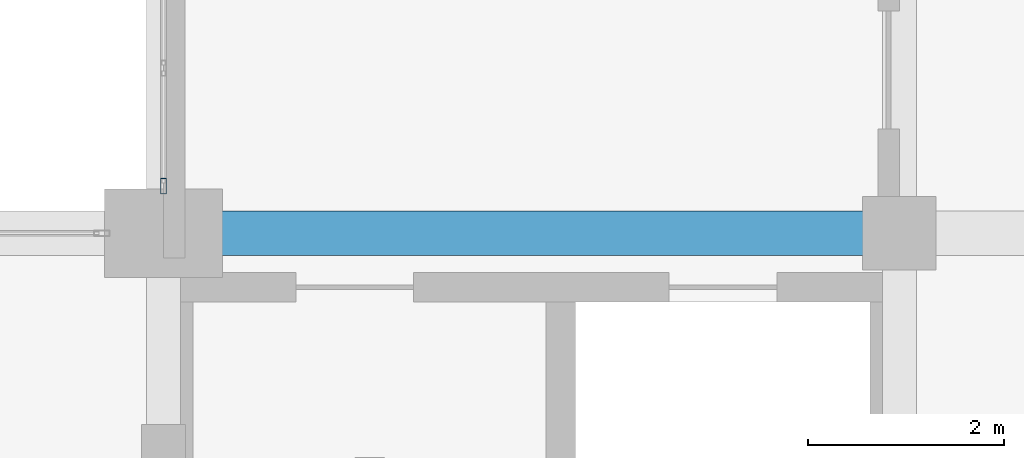
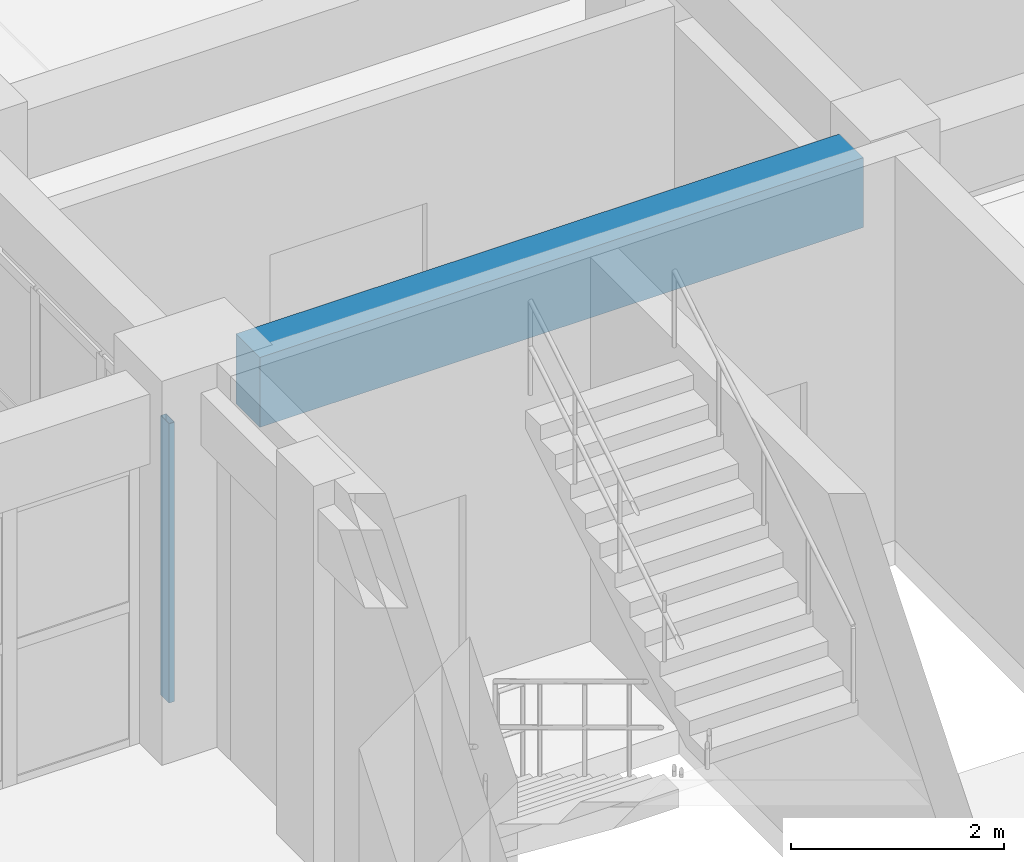
# One storey, part 14 of 116: 1 beam, 1 member, 1 element without a shape of its own.
"""IFC4 building model written with IfcOpenShell, lengths in metres."""

from ifc_helpers import new_model, si_unit, direction, frame, origin, origin_2d, place, context, subcontext, project, spatial, rectangle, hollow_rectangle, extrude, material, layer, layer_set, material_profile, profile_set, type_object, element, aggregate, save


model = new_model("IFC4")

# Units and contexts
model_context = context("Model", 3, precision=1e-05, world=origin(), true_north=direction((0.0, 1.0)))
body_context = subcontext(model_context, "Body", "Model", "MODEL_VIEW")
ifc_project = project(units=[si_unit("LENGTHUNIT", "METRE"), si_unit("AREAUNIT", "SQUARE_METRE"), si_unit("VOLUMEUNIT", "CUBIC_METRE"), si_unit("PLANEANGLEUNIT", "RADIAN"), si_unit("MASSUNIT", "GRAM", prefix="KILO")], contexts=[model_context])

# Site, building, storey
site_placement = place(None, origin())
site = spatial("IfcSite", under=ifc_project, at=site_placement, CompositionType="ELEMENT")
building_placement = place(site_placement, origin())
building = spatial("IfcBuilding", under=site, at=building_placement, Name="Muzn Square Opera House", CompositionType="ELEMENT")
storey_placement = place(building_placement, frame((0.0, 0.0, 5.39990234375)))
storey = spatial("IfcBuildingStorey", under=building, at=storey_placement, Name="L01", CompositionType="ELEMENT", Elevation=5.39990234375)

# Curtain wall, member
ifc_material_1 = material(Name="Low-E laminated acoustic double glazing", Category="glass")
ifc_layer = layer(ifc_material_1, 0.159912109375, Name="Low-E laminated acoustic double glazing", Category="glass")
ifc_layer_set = layer_set([ifc_layer], Name="Low-E laminated acoustic double glazing")
curtain_wall_type = type_object("IfcCurtainWallType", Name="Glazed Curtain Wall WestVaultCourt 3700x3200", PredefinedType="USERDEFINED", material=ifc_layer_set)
curtain_wall_placement = place(storey_placement, origin())
curtain_wall = element("IfcCurtainWall", 1, at=curtain_wall_placement, inside=storey, type_object=curtain_wall_type, Name="Glazed Curtain Wall CW-L01-039", ObjectType="GLAZED CURTAIN WALL", PredefinedType="USERDEFINED")
ifc_material_2 = material(Name="Anodised bronze aluminium 6063-T6", Category="metal")
ifc_material_profile_1 = material_profile(ifc_material_2, hollow_rectangle(XDim=0.06005859375, YDim=0.159912109375, WallThickness=0.00390625, at=origin_2d()), Name="ALU 160x60x4", Category="metal")
ifc_profile_set_1 = profile_set([ifc_material_profile_1], Name="Anodised bronze aluminium 6063-T6")
member_type = type_object("IfcMemberType", Name="Curtain Wall Mullion 160x60", PredefinedType="MULLION", material=ifc_profile_set_1)
member_placement = place(storey_placement, frame((43.0, 31.679931640625, 0.0), z_axis=(0.0, 0.0, 1.0), x_axis=(-1.0, 0.0, 0.0)))
member = element("IfcMember", 2, at=member_placement, type_object=member_type, Name="CW-WVC-37x32 mullion 1", PredefinedType="MULLION", context=body_context, shape_type="SweptSolid", body=[
    extrude(hollow_rectangle(XDim=0.06005859375, YDim=0.159912109375, WallThickness=0.00390625, at=origin_2d()), origin(), (0.0, 0.0, 1.0), 3.2001953125),
])
aggregate(curtain_wall, [member])

# Beam
ifc_material_3 = material(Name="Concrete C40/50", Category="concrete")
ifc_material_profile_2 = material_profile(ifc_material_3, rectangle(XDim=0.449951171875, YDim=0.800048828125, at=origin_2d()), Name="RCB 450x800", Category="concrete")
ifc_profile_set_2 = profile_set([ifc_material_profile_2], Name="Concrete C40/50")
beam_type = type_object("IfcBeamType", Name="Primary Girder 450x800", PredefinedType="BEAM", material=ifc_profile_set_2)
beam_placement = place(storey_placement, frame((43.592041015625, 31.199951171875, 3.72021484375), z_axis=(1.0, 0.0, 0.0), x_axis=(0.0, 1.0, 0.0)))
element("IfcBeam", 3, at=beam_placement, inside=storey, type_object=beam_type, Name="Primary Girder BM-L01-BM-PG800-436_312_501_312-1318", PredefinedType="BEAM", context=body_context, shape_type="SweptSolid", body=[
    extrude(rectangle(XDim=0.449951171875, YDim=0.800048828125, at=origin_2d()), origin(), (0.0, 0.0, 1.0), 6.541015625),
])

save(model, "model.ifc")
